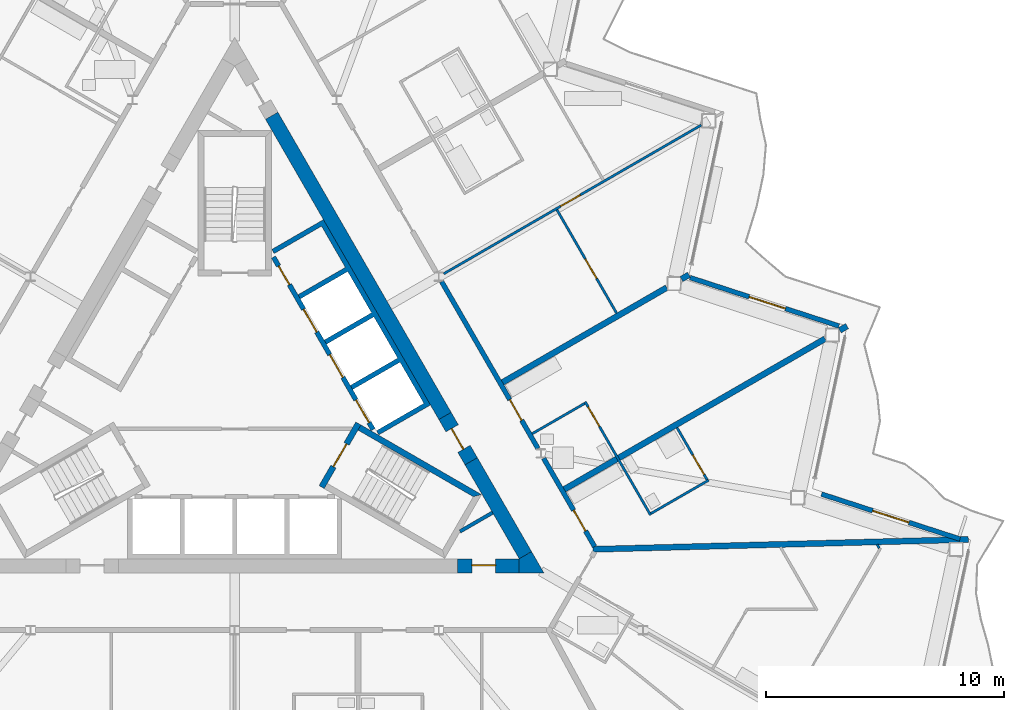
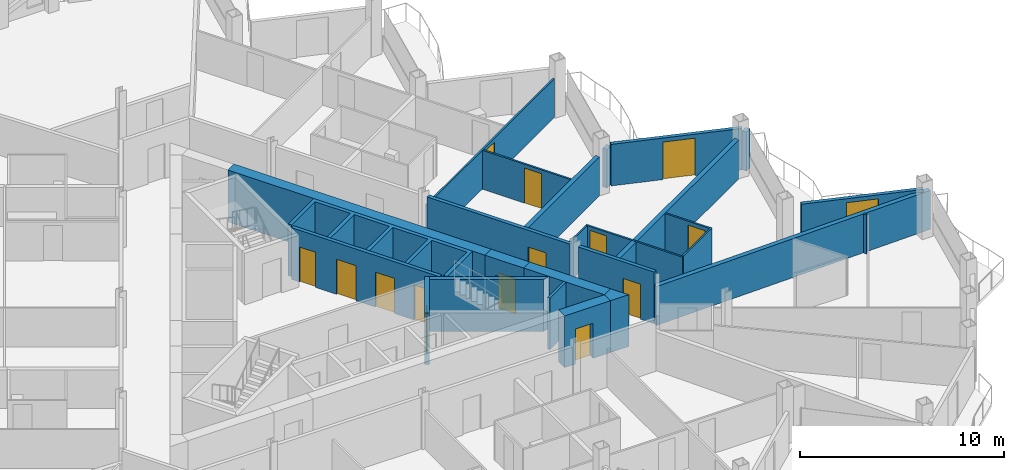
# One storey, part 17 of 28: 26 walls, 15 doors, 15 openings.
"""IFC4 building model written with IfcOpenShell, lengths in metres."""

from ifc_helpers import new_model, si_unit, direction, frame, frame_2d, origin, place, context, subcontext, project, spatial, polyline, rectangle, outline, extrude, material, layer, layer_set, type_object, element, fill, save


model = new_model("IFC4")

# Units and contexts
model_context = context("Model", 3, precision=1e-05, world=origin(), true_north=direction((0.0, 1.0)))
body_context = subcontext(model_context, "Body", "Model", "MODEL_VIEW")
ifc_project = project(units=[si_unit("LENGTHUNIT", "METRE"), si_unit("AREAUNIT", "SQUARE_METRE"), si_unit("VOLUMEUNIT", "CUBIC_METRE"), si_unit("PLANEANGLEUNIT", "RADIAN"), si_unit("MASSUNIT", "GRAM", prefix="KILO")], contexts=[model_context])

# Site, building, storey
site_placement = place(None, origin())
site = spatial("IfcSite", under=ifc_project, at=site_placement, CompositionType="ELEMENT")
building_placement = place(site_placement, origin())
building = spatial("IfcBuilding", under=site, at=building_placement, Name="Cormorant Prow Tower", CompositionType="ELEMENT")
storey_placement = place(building_placement, frame((0.0, 0.0, 301.800048828125)))
storey = spatial("IfcBuildingStorey", under=building, at=storey_placement, Name="L65", CompositionType="ELEMENT", Elevation=301.800048828125)

# Walls
ifc_material_1 = material(Name="Gypsum board partition")
ifc_layer_1 = layer(ifc_material_1, 0.14990234375)
ifc_layer_set_1 = layer_set([ifc_layer_1], Name="Gypsum board partition")
wall_type_1 = type_object("IfcWallType", Name="Core partition 150", PredefinedType="PARTITIONING", material=ifc_layer_set_1)
wall_1_placement = place(storey_placement, frame((10.841796875, -4.96728515625, 0.0), z_axis=(0.0, 0.0, 1.0), x_axis=(-0.866098216386, -0.499873863663, 0.0)))
element("IfcWall", 1, at=wall_1_placement, inside=storey, type_object=wall_type_1, Name="Service room partition", PredefinedType="PARTITIONING", context=body_context, shape_type="SweptSolid", body=[
    extrude(rectangle(XDim=1.58203125, YDim=0.14990234375, at=frame_2d((0.791015625, 0.0))), origin(), (0.0, 0.0, 1.0), 3.099853515625),
])
ifc_material_2 = material(Name="Concrete 8000 psi", Category="concrete")
ifc_layer_2 = layer(ifc_material_2, 0.60009765625)
ifc_layer_set_2 = layer_set([ifc_layer_2], Name="Concrete 8000 psi")
wall_type_2 = type_object("IfcWallType", Name="Core shear wall 600", PredefinedType="SHEAR", material=ifc_layer_set_2)
wall_2_placement = place(storey_placement, frame((8.841064453125, -0.902099609375, 0.0), z_axis=(0.0, 0.0, 1.0), x_axis=(-0.499995618375, 0.866027933502, 0.0)))
element("IfcWall", 2, at=wall_2_placement, inside=storey, type_object=wall_type_2, Name="Core wall", PredefinedType="SHEAR", context=body_context, shape_type="SweptSolid", body=[
    extrude(rectangle(XDim=14.570556640625, YDim=0.60009765625, at=frame_2d((7.28515625, 0.0))), origin(), (0.0, 0.0, 1.0), 3.099853515625),
])
wall_3_placement = place(storey_placement, frame((12.220703125, -6.755615234375, 0.0), z_axis=(0.0, 0.0, 1.0), x_axis=(-0.500020646047, 0.866013483456, 0.0)))
element("IfcWall", 3, at=wall_3_placement, inside=storey, type_object=wall_type_2, Name="Core wall", PredefinedType="SHEAR", context=body_context, shape_type="SweptSolid", body=[
    extrude(rectangle(XDim=4.559326171875, YDim=0.60009765625, at=frame_2d((2.27978515625, 0.0))), origin(), (0.0, 0.0, 1.0), 3.099853515625),
])
wall_4_placement = place(storey_placement, origin())
element("IfcWall", 4, at=wall_4_placement, inside=storey, type_object=wall_type_2, Name="Core wall corner", PredefinedType="SHEAR", context=body_context, shape_type="SweptSolid", body=[
    extrude(outline(polyline([(11.960693359375, -7.505615234375), (11.960693359375, -6.905517578125), (12.48046875, -6.605712890625), (13.0, -7.505615234375), (11.960693359375, -7.505615234375)])), origin(), (0.0, 0.0, 1.0), 3.099853515625),
])

# Wall, opening, door
wall_5_placement = place(storey_placement, frame((9.36865234375, -7.20556640625, 0.0), z_axis=(0.0, 0.0, 1.0), x_axis=(1.0, 0.0, 0.0)))
wall_5 = element("IfcWall", 5, at=wall_5_placement, inside=storey, type_object=wall_type_2, Name="Core wall door panel", PredefinedType="SHEAR", context=body_context, shape_type="SweptSolid", body=[
    extrude(rectangle(XDim=2.592041015625, YDim=0.60009765625, at=frame_2d((1.2958984375, 0.0))), origin(), (0.0, 0.0, 1.0), 3.099853515625),
])
opening_1_placement = place(wall_5_placement, frame((0.60009765625, 0.0, 0.0)))
opening_1 = element("IfcOpeningElement", 6, at=opening_1_placement, cuts=wall_5, Name="Opening L65-C15", PredefinedType="OPENING", context=body_context, shape_type="SweptSolid", body=[
    extrude(rectangle(XDim=1.0, YDim=2.10009765625, at=frame_2d((0.5, 1.050048828125))), frame((0.0, 0.31005859375, 0.0), z_axis=(0.0, -1.0, 0.0), x_axis=(1.0, 0.0, 0.0)), (0.0, 0.0, 1.0), 0.6201171875),
])
ifc_material_3 = material(Name="Painted steel", Category="steel")
door_type_1 = type_object("IfcDoorType", Name="Service door 1000x2100", OperationType="NOTDEFINED", PredefinedType="DOOR", material=ifc_material_3)
door_1_placement = place(opening_1_placement, origin())
door_1 = element("IfcDoor", 7, at=door_1_placement, inside=storey, type_object=door_type_1, Name="Core door, Telecom room", OperationType="SINGLE_SWING_RIGHT", OverallHeight=2.10009765625, OverallWidth=1.0, PredefinedType="DOOR", context=body_context, shape_type="SweptSolid", body=[
    extrude(rectangle(XDim=1.0, YDim=2.10009765625, at=frame_2d((0.5, 1.050048828125))), frame((0.0, 0.05517578125, 0.0), z_axis=(0.0, -1.0, 0.0), x_axis=(1.0, 0.0, 0.0)), (0.0, 0.0, 1.0), 0.050048828125),
])
fill(opening_1, door_1)

wall_6_placement = place(storey_placement, frame((9.94091796875, -2.80712890625, 0.0), z_axis=(0.0, 0.0, 1.0), x_axis=(-0.499994660107, 0.866028486751, 0.0)))
wall_6 = element("IfcWall", 8, at=wall_6_placement, inside=storey, type_object=wall_type_2, Name="Core wall door panel", PredefinedType="SHEAR", context=body_context, shape_type="SweptSolid", body=[
    extrude(rectangle(XDim=2.19970703125, YDim=0.60009765625, at=frame_2d((1.099853515625, 0.0))), origin(), (0.0, 0.0, 1.0), 3.099853515625),
])
opening_2_placement = place(wall_6_placement, frame((0.60009765625, 0.0, 0.0)))
opening_2 = element("IfcOpeningElement", 9, at=opening_2_placement, cuts=wall_6, Name="Opening L65-C17", PredefinedType="OPENING", context=body_context, shape_type="SweptSolid", body=[
    extrude(rectangle(XDim=1.0, YDim=2.10009765625, at=frame_2d((0.5, 1.050048828125))), frame((0.0, 0.31005859375, 0.0), z_axis=(0.0, -1.0, 0.0), x_axis=(1.0, 0.0, 0.0)), (0.0, 0.0, 1.0), 0.6201171875),
])
door_2_placement = place(opening_2_placement, origin())
door_2 = element("IfcDoor", 10, at=door_2_placement, inside=storey, type_object=door_type_1, Name="Core door, Electrical room", OperationType="SINGLE_SWING_LEFT", OverallHeight=2.10009765625, OverallWidth=1.0, PredefinedType="DOOR", context=body_context, shape_type="SweptSolid", body=[
    extrude(rectangle(XDim=1.0, YDim=2.10009765625, at=frame_2d((0.5, 1.050048828125))), frame((0.0, 0.05517578125, 0.0), z_axis=(0.0, -1.0, 0.0), x_axis=(1.0, 0.0, 0.0)), (0.0, 0.0, 1.0), 0.050048828125),
])
fill(opening_2, door_2)

ifc_material_4 = material(Name="Gypsum board corridor wall")
ifc_layer_3 = layer(ifc_material_4, 0.199951171875)
ifc_layer_set_3 = layer_set([ifc_layer_3], Name="Gypsum board corridor wall")
wall_type_3 = type_object("IfcWallType", Name="Corridor wall 200", PredefinedType="PARTITIONING", material=ifc_layer_set_3)
wall_7_placement = place(storey_placement, frame((8.698486328125, 4.7451171875, 0.0), z_axis=(0.0, 0.0, 1.0), x_axis=(0.499984266882, -0.866034487114, 0.0)))
wall_7 = element("IfcWall", 11, at=wall_7_placement, inside=storey, type_object=wall_type_3, Name="Corridor wall", PredefinedType="PARTITIONING", context=body_context, shape_type="SweptSolid", body=[
    extrude(rectangle(XDim=8.098876953125, YDim=0.199951171875, at=frame_2d((4.04931640625, 0.0))), origin(), (0.0, 0.0, 1.0), 3.099853515625),
])
opening_3_placement = place(wall_7_placement, frame((5.732177734375, 0.0, 0.0)))
opening_3 = element("IfcOpeningElement", 12, at=opening_3_placement, cuts=wall_7, Name="Opening L65-F24", PredefinedType="OPENING", context=body_context, shape_type="SweptSolid", body=[
    extrude(rectangle(XDim=1.0, YDim=2.10009765625, at=frame_2d((0.5, 1.050048828125))), frame((0.0, 0.10986328125, 0.0), z_axis=(0.0, -1.0, 0.0), x_axis=(1.0, 0.0, 0.0)), (0.0, 0.0, 1.0), 0.219970703125),
])
ifc_material_5 = material(Name="Timber door leaf", Category="wood")
door_type_2 = type_object("IfcDoorType", Name="Flat or room entrance door 1000x2100", OperationType="NOTDEFINED", PredefinedType="DOOR", material=ifc_material_5)
door_3_placement = place(opening_3_placement, origin())
door_3 = element("IfcDoor", 13, at=door_3_placement, inside=storey, type_object=door_type_2, Name="Studio living, kitchen and sleeping room door", OperationType="SINGLE_SWING_RIGHT", OverallHeight=2.10009765625, OverallWidth=1.0, PredefinedType="DOOR", context=body_context, shape_type="SweptSolid", body=[
    extrude(rectangle(XDim=1.0, YDim=2.10009765625, at=frame_2d((0.5, 1.050048828125))), frame((0.0, 0.02490234375, 0.0), z_axis=(0.0, -1.0, 0.0), x_axis=(1.0, 0.0, 0.0)), (0.0, 0.0, 1.0), 0.050048828125),
])
fill(opening_3, door_3)

wall_8_placement = place(storey_placement, frame((12.987548828125, -2.68408203125, 0.0), z_axis=(0.0, 0.0, 1.0), x_axis=(0.500003406062, -0.866023437285, 0.0)))
wall_8 = element("IfcWall", 14, at=wall_8_placement, inside=storey, type_object=wall_type_3, Name="Corridor wall", PredefinedType="PARTITIONING", context=body_context, shape_type="SweptSolid", body=[
    extrude(rectangle(XDim=4.28759765625, YDim=0.199951171875, at=frame_2d((2.143798828125, 0.0))), origin(), (0.0, 0.0, 1.0), 3.099853515625),
])
opening_4_placement = place(wall_8_placement, frame((2.521484375, 0.0, 0.0)))
opening_4 = element("IfcOpeningElement", 15, at=opening_4_placement, cuts=wall_8, Name="Opening L65-F22", PredefinedType="OPENING", context=body_context, shape_type="SweptSolid", body=[
    extrude(rectangle(XDim=1.0, YDim=2.10009765625, at=frame_2d((0.5, 1.050048828125))), frame((0.0, 0.10986328125, 0.0), z_axis=(0.0, -1.0, 0.0), x_axis=(1.0, 0.0, 0.0)), (0.0, 0.0, 1.0), 0.219970703125),
])
door_4_placement = place(opening_4_placement, origin())
door_4 = element("IfcDoor", 16, at=door_4_placement, inside=storey, type_object=door_type_2, Name="Studio living, kitchen and sleeping room door", OperationType="SINGLE_SWING_LEFT", OverallHeight=2.10009765625, OverallWidth=1.0, PredefinedType="DOOR", context=body_context, shape_type="SweptSolid", body=[
    extrude(rectangle(XDim=1.0, YDim=2.10009765625, at=frame_2d((0.5, 1.050048828125))), frame((0.0, 0.02490234375, 0.0), z_axis=(0.0, -1.0, 0.0), x_axis=(1.0, 0.0, 0.0)), (0.0, 0.0, 1.0), 0.050048828125),
])
fill(opening_4, door_4)

ifc_material_6 = material(Name="Gypsum board partition")
ifc_layer_4 = layer(ifc_material_6, 0.10009765625)
ifc_layer_set_4 = layer_set([ifc_layer_4], Name="Gypsum board partition")
wall_type_4 = type_object("IfcWallType", Name="Internal partition 100", PredefinedType="PARTITIONING", material=ifc_layer_set_4)
wall_9_placement = place(storey_placement, frame((8.7861328125, 5.07275390625, 0.0), z_axis=(0.0, 0.0, 1.0), x_axis=(0.86602139559, 0.500006942333, 0.0)))
wall_9 = element("IfcWall", 17, at=wall_9_placement, inside=storey, type_object=wall_type_4, Name="Internal partition", PredefinedType="PARTITIONING", context=body_context, shape_type="SweptSolid", body=[
    extrude(rectangle(XDim=12.504638671875, YDim=0.10009765625, at=frame_2d((6.25244140625, 0.0))), origin(), (0.0, 0.0, 1.0), 2.330078125),
])
opening_5_placement = place(wall_9_placement, frame((5.6767578125, 0.0, 0.0)))
opening_5 = element("IfcOpeningElement", 18, at=opening_5_placement, cuts=wall_9, Name="Opening L65-F29", PredefinedType="OPENING", context=body_context, shape_type="SweptSolid", body=[
    extrude(rectangle(XDim=0.949951171875, YDim=2.10009765625, at=frame_2d((0.47509765625, 1.050048828125))), frame((0.0, 0.06005859375, 0.0), z_axis=(0.0, -1.0, 0.0), x_axis=(1.0, 0.0, 0.0)), (0.0, 0.0, 1.0), 0.1201171875),
])
ifc_material_7 = material(Name="Timber door leaf", Category="wood")
door_type_3 = type_object("IfcDoorType", Name="Bathroom door 950x2100", OperationType="NOTDEFINED", PredefinedType="DOOR", material=ifc_material_7)
door_5_placement = place(opening_5_placement, origin())
door_5 = element("IfcDoor", 19, at=door_5_placement, inside=storey, type_object=door_type_3, Name="Living room door", OperationType="SINGLE_SWING_LEFT", OverallHeight=2.10009765625, OverallWidth=0.949951171875, PredefinedType="DOOR", context=body_context, shape_type="SweptSolid", body=[
    extrude(rectangle(XDim=0.949951171875, YDim=2.10009765625, at=frame_2d((0.47509765625, 1.050048828125))), frame((0.0, 0.02490234375, 0.0), z_axis=(0.0, -1.0, 0.0), x_axis=(1.0, 0.0, 0.0)), (0.0, 0.0, 1.0), 0.050048828125),
])
fill(opening_5, door_5)

wall_10_placement = place(storey_placement, frame((14.732666015625, -0.306640625, 0.0), z_axis=(0.0, 0.0, 1.0), x_axis=(0.499996545922, -0.866027397988, 0.0)))
wall_10 = element("IfcWall", 20, at=wall_10_placement, inside=storey, type_object=wall_type_4, Name="Internal partition", PredefinedType="PARTITIONING", context=body_context, shape_type="SweptSolid", body=[
    extrude(rectangle(XDim=5.5, YDim=0.10009765625, at=frame_2d((2.75, 0.0))), origin(), (0.0, 0.0, 1.0), 2.330078125),
])
opening_6_placement = place(wall_10_placement, frame((0.25, 0.0, 0.0)))
opening_6 = element("IfcOpeningElement", 21, at=opening_6_placement, cuts=wall_10, Name="Opening L65-F25", PredefinedType="OPENING", context=body_context, shape_type="SweptSolid", body=[
    extrude(rectangle(XDim=0.949951171875, YDim=2.10009765625, at=frame_2d((0.47509765625, 1.050048828125))), frame((0.0, 0.06005859375, 0.0), z_axis=(0.0, -1.0, 0.0), x_axis=(1.0, 0.0, 0.0)), (0.0, 0.0, 1.0), 0.1201171875),
])
door_6_placement = place(opening_6_placement, origin())
door_6 = element("IfcDoor", 22, at=door_6_placement, inside=storey, type_object=door_type_3, Name="Studio living, kitchen and sleeping room door", OperationType="SINGLE_SWING_LEFT", OverallHeight=2.10009765625, OverallWidth=0.949951171875, PredefinedType="DOOR", context=body_context, shape_type="SweptSolid", body=[
    extrude(rectangle(XDim=0.949951171875, YDim=2.10009765625, at=frame_2d((0.47509765625, 1.050048828125))), frame((0.0, 0.02490234375, 0.0), z_axis=(0.0, -1.0, 0.0), x_axis=(1.0, 0.0, 0.0)), (0.0, 0.0, 1.0), 0.050048828125),
])
fill(opening_6, door_6)

wall_11_placement = place(storey_placement, frame((13.5458984375, 7.762939453125, 0.0), z_axis=(0.0, 0.0, 1.0), x_axis=(0.500028620461, -0.866008879123, 0.0)))
wall_11 = element("IfcWall", 23, at=wall_11_placement, inside=storey, type_object=wall_type_4, Name="Internal partition", PredefinedType="PARTITIONING", context=body_context, shape_type="SweptSolid", body=[
    extrude(rectangle(XDim=5.015869140625, YDim=0.10009765625, at=frame_2d((2.5078125, 0.0))), origin(), (0.0, 0.0, 1.0), 2.330078125),
])
opening_7_placement = place(wall_11_placement, frame((2.3896484375, 0.0, 0.0)))
opening_7 = element("IfcOpeningElement", 24, at=opening_7_placement, cuts=wall_11, Name="Opening L65-F30", PredefinedType="OPENING", context=body_context, shape_type="SweptSolid", body=[
    extrude(rectangle(XDim=0.949951171875, YDim=2.10009765625, at=frame_2d((0.47509765625, 1.050048828125))), frame((0.0, 0.06005859375, 0.0), z_axis=(0.0, -1.0, 0.0), x_axis=(1.0, 0.0, 0.0)), (0.0, 0.0, 1.0), 0.1201171875),
])
door_7_placement = place(opening_7_placement, origin())
door_7 = element("IfcDoor", 25, at=door_7_placement, inside=storey, type_object=door_type_3, Name="Bedroom door", OperationType="SINGLE_SWING_RIGHT", OverallHeight=2.10009765625, OverallWidth=0.949951171875, PredefinedType="DOOR", context=body_context, shape_type="SweptSolid", body=[
    extrude(rectangle(XDim=0.949951171875, YDim=2.10009765625, at=frame_2d((0.47509765625, 1.050048828125))), frame((0.0, 0.02490234375, 0.0), z_axis=(0.0, -1.0, 0.0), x_axis=(1.0, 0.0, 0.0)), (0.0, 0.0, 1.0), 0.050048828125),
])
fill(opening_7, door_7)

# Wall
wall_12_placement = place(storey_placement, frame((17.5009765625, -5.00146484375, 0.0), z_axis=(0.0, 0.0, 1.0), x_axis=(0.866034573852, 0.49998411664, 0.0)))
element("IfcWall", 26, at=wall_12_placement, inside=storey, type_object=wall_type_4, Name="Internal partition", PredefinedType="PARTITIONING", context=body_context, shape_type="SweptSolid", body=[
    extrude(rectangle(XDim=2.7998046875, YDim=0.10009765625, at=frame_2d((1.39990234375, 0.0))), origin(), (0.0, 0.0, 1.0), 2.330078125),
])

# Wall, opening, door
wall_13_placement = place(storey_placement, frame((18.594970703125, -1.396484375, 0.0), z_axis=(0.0, 0.0, 1.0), x_axis=(0.499976333282, -0.866039067339, 0.0)))
wall_13 = element("IfcWall", 27, at=wall_13_placement, inside=storey, type_object=wall_type_4, Name="Internal partition", PredefinedType="PARTITIONING", context=body_context, shape_type="SweptSolid", body=[
    extrude(rectangle(XDim=2.52490234375, YDim=0.10009765625, at=frame_2d((1.262451171875, 0.0))), origin(), (0.0, 0.0, 1.0), 2.330078125),
])
opening_8_placement = place(wall_13_placement, frame((1.324951171875, 0.0, 0.0)))
opening_8 = element("IfcOpeningElement", 28, at=opening_8_placement, cuts=wall_13, Name="Opening L65-F23", PredefinedType="OPENING", context=body_context, shape_type="SweptSolid", body=[
    extrude(rectangle(XDim=0.949951171875, YDim=2.10009765625, at=frame_2d((0.47509765625, 1.050048828125))), frame((0.0, 0.06005859375, 0.0), z_axis=(0.0, -1.0, 0.0), x_axis=(1.0, 0.0, 0.0)), (0.0, 0.0, 1.0), 0.1201171875),
])
door_8_placement = place(opening_8_placement, origin())
door_8 = element("IfcDoor", 29, at=door_8_placement, inside=storey, type_object=door_type_3, Name="Studio living, kitchen and sleeping room door", OperationType="SINGLE_SWING_RIGHT", OverallHeight=2.10009765625, OverallWidth=0.949951171875, PredefinedType="DOOR", context=body_context, shape_type="SweptSolid", body=[
    extrude(rectangle(XDim=0.949951171875, YDim=2.10009765625, at=frame_2d((0.47509765625, 1.050048828125))), frame((0.0, 0.02490234375, 0.0), z_axis=(0.0, -1.0, 0.0), x_axis=(1.0, 0.0, 0.0)), (0.0, 0.0, 1.0), 0.050048828125),
])
fill(opening_8, door_8)

# Walls
wall_14_placement = place(storey_placement, frame((12.506103515625, -1.64990234375, 0.0), z_axis=(0.0, 0.0, 1.0), x_axis=(0.866030925526, 0.499990435942, 0.0)))
element("IfcWall", 30, at=wall_14_placement, inside=storey, type_object=wall_type_4, Name="Internal partition", PredefinedType="PARTITIONING", context=body_context, shape_type="SweptSolid", body=[
    extrude(rectangle(XDim=2.5498046875, YDim=0.10009765625, at=frame_2d((1.27490234375, 0.0))), origin(), (0.0, 0.0, 1.0), 2.330078125),
])
wall_15_placement = place(storey_placement, frame((27.006103515625, -6.306396484375, 0.0), z_axis=(0.0, 0.0, 1.0), x_axis=(0.500074377092, -0.865982457891, 0.0)))
element("IfcWall", 31, at=wall_15_placement, inside=storey, type_object=wall_type_4, Name="Internal partition", PredefinedType="PARTITIONING", context=body_context, shape_type="SweptSolid", body=[
    extrude(rectangle(XDim=0.18017578125, YDim=0.10009765625, at=frame_2d((0.090087890625, 0.0))), origin(), (0.0, 0.0, 1.0), 2.330078125),
])

# Wall, openings, doors
ifc_material_8 = material(Name="Concrete 5000 psi", Category="concrete")
ifc_layer_5 = layer(ifc_material_8, 0.199951171875)
ifc_layer_set_5 = layer_set([ifc_layer_5], Name="Concrete 5000 psi")
wall_type_5 = type_object("IfcWallType", Name="Lift lobby wall 200", PredefinedType="SOLIDWALL", material=ifc_layer_set_5)
wall_16_placement = place(storey_placement, frame((5.817138671875, -1.4755859375, 0.0), z_axis=(0.0, 0.0, 1.0), x_axis=(-0.500002616675, 0.866023893041, 0.0)))
wall_16 = element("IfcWall", 32, at=wall_16_placement, inside=storey, type_object=wall_type_5, Name="Lift lobby wall, ENE block", PredefinedType="SOLIDWALL", context=body_context, shape_type="SweptSolid", body=[
    extrude(rectangle(XDim=8.373046875, YDim=0.199951171875, at=frame_2d((4.1865234375, 0.0))), origin(), (0.0, 0.0, 1.0), 3.099853515625),
])
opening_9_placement = place(wall_16_placement, frame((0.336669921875, 0.0, 0.0)))
opening_9 = element("IfcOpeningElement", 33, at=opening_9_placement, cuts=wall_16, Name="Opening L65-C05", PredefinedType="OPENING", context=body_context, shape_type="SweptSolid", body=[
    extrude(rectangle(XDim=1.10009765625, YDim=2.10009765625, at=frame_2d((0.550048828125, 1.050048828125))), frame((0.0, 0.10986328125, 0.0), z_axis=(0.0, -1.0, 0.0), x_axis=(1.0, 0.0, 0.0)), (0.0, 0.0, 1.0), 0.219970703125),
])
opening_10_placement = place(wall_16_placement, frame((2.53662109375, 0.0, 0.0)))
opening_10 = element("IfcOpeningElement", 34, at=opening_10_placement, cuts=wall_16, Name="Opening L65-C06", PredefinedType="OPENING", context=body_context, shape_type="SweptSolid", body=[
    extrude(rectangle(XDim=1.10009765625, YDim=2.10009765625, at=frame_2d((0.550048828125, 1.050048828125))), frame((0.0, 0.10986328125, 0.0), z_axis=(0.0, -1.0, 0.0), x_axis=(1.0, 0.0, 0.0)), (0.0, 0.0, 1.0), 0.219970703125),
])
opening_11_placement = place(wall_16_placement, frame((4.736572265625, 0.0, 0.0)))
opening_11 = element("IfcOpeningElement", 35, at=opening_11_placement, cuts=wall_16, Name="Opening L65-C07", PredefinedType="OPENING", context=body_context, shape_type="SweptSolid", body=[
    extrude(rectangle(XDim=1.10009765625, YDim=2.10009765625, at=frame_2d((0.550048828125, 1.050048828125))), frame((0.0, 0.10986328125, 0.0), z_axis=(0.0, -1.0, 0.0), x_axis=(1.0, 0.0, 0.0)), (0.0, 0.0, 1.0), 0.219970703125),
])
opening_12_placement = place(wall_16_placement, frame((7.03662109375, 0.0, 0.0)))
opening_12 = element("IfcOpeningElement", 36, at=opening_12_placement, cuts=wall_16, Name="Opening L65-C08", PredefinedType="OPENING", context=body_context, shape_type="SweptSolid", body=[
    extrude(rectangle(XDim=0.89990234375, YDim=2.10009765625, at=frame_2d((0.449951171875, 1.050048828125))), frame((0.0, 0.10986328125, 0.0), z_axis=(0.0, -1.0, 0.0), x_axis=(1.0, 0.0, 0.0)), (0.0, 0.0, 1.0), 0.219970703125),
])
ifc_material_9 = material(Name="Painted steel", Category="steel")
door_type_4 = type_object("IfcDoorType", Name="Lift landing door 1100x2100", OperationType="SLIDING_TO_LEFT", PredefinedType="DOOR", material=ifc_material_9)
door_9_placement = place(opening_9_placement, origin())
door_9 = element("IfcDoor", 37, at=door_9_placement, inside=storey, type_object=door_type_4, Name="Landing door HR2", OperationType="SLIDING_TO_LEFT", OverallHeight=2.10009765625, OverallWidth=1.10009765625, PredefinedType="DOOR", context=body_context, shape_type="SweptSolid", body=[
    extrude(rectangle(XDim=1.10009765625, YDim=2.10009765625, at=frame_2d((0.550048828125, 1.050048828125))), frame((0.0, 0.02490234375, 0.0), z_axis=(0.0, -1.0, 0.0), x_axis=(1.0, 0.0, 0.0)), (0.0, 0.0, 1.0), 0.050048828125),
])
fill(opening_9, door_9)
door_10_placement = place(opening_10_placement, origin())
door_10 = element("IfcDoor", 38, at=door_10_placement, inside=storey, type_object=door_type_4, Name="Landing door HR3", OperationType="SLIDING_TO_LEFT", OverallHeight=2.10009765625, OverallWidth=1.10009765625, PredefinedType="DOOR", context=body_context, shape_type="SweptSolid", body=[
    extrude(rectangle(XDim=1.10009765625, YDim=2.10009765625, at=frame_2d((0.550048828125, 1.050048828125))), frame((0.0, 0.02490234375, 0.0), z_axis=(0.0, -1.0, 0.0), x_axis=(1.0, 0.0, 0.0)), (0.0, 0.0, 1.0), 0.050048828125),
])
fill(opening_10, door_10)
door_11_placement = place(opening_11_placement, origin())
door_11 = element("IfcDoor", 39, at=door_11_placement, inside=storey, type_object=door_type_4, Name="Landing door HR4", OperationType="SLIDING_TO_LEFT", OverallHeight=2.10009765625, OverallWidth=1.10009765625, PredefinedType="DOOR", context=body_context, shape_type="SweptSolid", body=[
    extrude(rectangle(XDim=1.10009765625, YDim=2.10009765625, at=frame_2d((0.550048828125, 1.050048828125))), frame((0.0, 0.02490234375, 0.0), z_axis=(0.0, -1.0, 0.0), x_axis=(1.0, 0.0, 0.0)), (0.0, 0.0, 1.0), 0.050048828125),
])
fill(opening_11, door_11)
ifc_material_10 = material(Name="Painted steel", Category="steel")
door_type_5 = type_object("IfcDoorType", Name="Service door 900x2100", OperationType="NOTDEFINED", PredefinedType="DOOR", material=ifc_material_10)
door_12_placement = place(opening_12_placement, origin())
door_12 = element("IfcDoor", 40, at=door_12_placement, inside=storey, type_object=door_type_5, Name="Service door, Telecom room", OperationType="SINGLE_SWING_RIGHT", OverallHeight=2.10009765625, OverallWidth=0.89990234375, PredefinedType="DOOR", context=body_context, shape_type="SweptSolid", body=[
    extrude(rectangle(XDim=0.89990234375, YDim=2.10009765625, at=frame_2d((0.449951171875, 1.050048828125))), frame((0.0, 0.02490234375, 0.0), z_axis=(0.0, -1.0, 0.0), x_axis=(1.0, 0.0, 0.0)), (0.0, 0.0, 1.0), 0.050048828125),
])
fill(opening_12, door_12)

# Walls
ifc_material_11 = material(Name="Concrete 8000 psi", Category="concrete")
ifc_layer_6 = layer(ifc_material_11, 0.199951171875)
ifc_layer_set_6 = layer_set([ifc_layer_6], Name="Concrete 8000 psi")
wall_type_6 = type_object("IfcWallType", Name="Lift shaft wall 200", PredefinedType="SHEAR", material=ifc_layer_set_6)
wall_17_placement = place(storey_placement, origin())
element("IfcWall", 41, at=wall_17_placement, inside=storey, type_object=wall_type_6, Name="Lift shaft walls, ENE block", PredefinedType="SHEAR", context=body_context, shape_type="SweptSolid", body=[
    extrude(outline(polyline([(1.560546875, 6.09716796875), (3.730712890625, 7.35009765625), (8.230712890625, -0.444091796875), (6.060546875, -1.697021484375), (5.96044921875, -1.52392578125), (7.952392578125, -0.373779296875), (6.952392578125, 1.358154296875), (4.96044921875, 0.2080078125), (4.860595703125, 0.38134765625), (6.852294921875, 1.53125), (5.852294921875, 3.263427734375), (3.860595703125, 2.11328125), (3.760498046875, 2.28662109375), (5.75244140625, 3.4365234375), (4.75244140625, 5.168701171875), (2.760498046875, 4.018798828125), (2.660400390625, 4.19189453125), (4.65234375, 5.341796875), (3.65234375, 7.073974609375), (1.660400390625, 5.923828125), (1.560546875, 6.09716796875)])), origin(), (0.0, 0.0, 1.0), 3.099853515625),
])
ifc_material_12 = material(Name="Concrete 8000 psi", Category="concrete")
ifc_layer_7 = layer(ifc_material_12, 0.25)
ifc_layer_set_7 = layer_set([ifc_layer_7], Name="Concrete 8000 psi")
wall_type_7 = type_object("IfcWallType", Name="Stair wall 250", PredefinedType="SHEAR", material=ifc_layer_set_7)
wall_18_placement = place(storey_placement, origin())
element("IfcWall", 42, at=wall_18_placement, inside=storey, type_object=wall_type_7, Name="Stair ST2 enclosure wall (flank)", PredefinedType="SHEAR", context=body_context, shape_type="SweptSolid", body=[
    extrude(outline(polyline([(10.031982421875, -4.2978515625), (10.37353515625, -4.206298828125), (5.30712890625, -1.28125), (5.18212890625, -1.497802734375), (10.031982421875, -4.2978515625)])), origin(), (0.0, 0.0, 1.0), 3.099853515625),
])

# Wall, opening, door
wall_19_placement = place(storey_placement, frame((3.655029296875, -3.89306640625, 0.0), z_axis=(0.0, 0.0, 1.0), x_axis=(0.499982516597, 0.866035497597, 0.0)))
wall_19 = element("IfcWall", 43, at=wall_19_placement, inside=storey, type_object=wall_type_7, Name="Stair ST2 door wall", PredefinedType="SHEAR", context=body_context, shape_type="SweptSolid", body=[
    extrude(rectangle(XDim=3.087890625, YDim=0.25, at=frame_2d((1.5439453125, 0.0))), origin(), (0.0, 0.0, 1.0), 3.099853515625),
])
opening_13_placement = place(wall_19_placement, frame((0.993896484375, 0.0, 0.0)))
opening_13 = element("IfcOpeningElement", 44, at=opening_13_placement, cuts=wall_19, Name="Opening L65-C13", PredefinedType="OPENING", context=body_context, shape_type="SweptSolid", body=[
    extrude(rectangle(XDim=1.10009765625, YDim=2.10009765625, at=frame_2d((0.550048828125, 1.050048828125))), frame((0.0, 0.135009765625, 0.0), z_axis=(0.0, -1.0, 0.0), x_axis=(1.0, 0.0, 0.0)), (0.0, 0.0, 1.0), 0.27001953125),
])
ifc_material_13 = material(Name="Painted steel", Category="steel")
door_type_6 = type_object("IfcDoorType", Name="Stair door 1100x2100", OperationType="NOTDEFINED", PredefinedType="DOOR", material=ifc_material_13)
door_13_placement = place(opening_13_placement, origin())
door_13 = element("IfcDoor", 45, at=door_13_placement, inside=storey, type_object=door_type_6, Name="Stair ST2 door", OperationType="SINGLE_SWING_RIGHT", OverallHeight=2.10009765625, OverallWidth=1.10009765625, PredefinedType="DOOR", context=body_context, shape_type="SweptSolid", body=[
    extrude(rectangle(XDim=1.10009765625, YDim=2.10009765625, at=frame_2d((0.550048828125, 1.050048828125))), frame((0.0, 0.02490234375, 0.0), z_axis=(0.0, -1.0, 0.0), x_axis=(1.0, 0.0, 0.0)), (0.0, 0.0, 1.0), 0.050048828125),
])
fill(opening_13, door_13)

# Walls
ifc_material_14 = material(Name="Acoustic gypsum party wall")
ifc_layer_8 = layer(ifc_material_14, 0.25)
ifc_layer_set_8 = layer_set([ifc_layer_8], Name="Acoustic gypsum party wall")
wall_type_8 = type_object("IfcWallType", Name="Suite party wall 250", PredefinedType="PARTITIONING", material=ifc_layer_set_8)
wall_20_placement = place(storey_placement, frame((15.069091796875, -6.5087890625, 0.0), z_axis=(0.0, 0.0, 1.0), x_axis=(0.999657828615, 0.026157708023, 0.0)))
element("IfcWall", 46, at=wall_20_placement, inside=storey, type_object=wall_type_8, Name="Suite party wall", PredefinedType="PARTITIONING", context=body_context, shape_type="SweptSolid", body=[
    extrude(rectangle(XDim=15.7734375, YDim=0.25, at=frame_2d((7.88671875, 0.0))), origin(), (0.0, 0.0, 1.0), 2.330078125),
])
wall_21_placement = place(storey_placement, frame((13.85595703125, -3.98828125, 0.0), z_axis=(0.0, 0.0, 1.0), x_axis=(0.866021406514, 0.500006923412, 0.0)))
element("IfcWall", 47, at=wall_21_placement, inside=storey, type_object=wall_type_8, Name="Suite party wall", PredefinedType="PARTITIONING", context=body_context, shape_type="SweptSolid", body=[
    extrude(rectangle(XDim=12.654052734375, YDim=0.25, at=frame_2d((6.3271484375, 0.0))), origin(), (0.0, 0.0, 1.0), 2.330078125),
])
wall_22_placement = place(storey_placement, frame((11.260498046875, 0.50732421875, 0.0), z_axis=(0.0, 0.0, 1.0), x_axis=(0.86602842894, 0.499994760241, 0.0)))
element("IfcWall", 48, at=wall_22_placement, inside=storey, type_object=wall_type_8, Name="Suite party wall", PredefinedType="PARTITIONING", context=body_context, shape_type="SweptSolid", body=[
    extrude(rectangle(XDim=7.9677734375, YDim=0.25, at=frame_2d((3.98388671875, 0.0))), origin(), (0.0, 0.0, 1.0), 2.330078125),
])
wall_23_placement = place(storey_placement, frame((18.781005859375, 4.849365234375, 0.0), z_axis=(0.0, 0.0, 1.0), x_axis=(0.86609656662, 0.499876722092, 0.0)))
element("IfcWall", 49, at=wall_23_placement, inside=storey, type_object=wall_type_8, Name="Suite party wall", PredefinedType="PARTITIONING", context=body_context, shape_type="SweptSolid", body=[
    extrude(rectangle(XDim=0.365234375, YDim=0.25, at=frame_2d((0.1826171875, 0.0))), origin(), (0.0, 0.0, 1.0), 2.330078125),
])
wall_24_placement = place(storey_placement, frame((25.434814453125, 2.69677734375, 0.0), z_axis=(0.0, 0.0, 1.0), x_axis=(0.865851769275, 0.500300623268, 0.0)))
element("IfcWall", 50, at=wall_24_placement, inside=storey, type_object=wall_type_8, Name="Suite party wall", PredefinedType="PARTITIONING", context=body_context, shape_type="SweptSolid", body=[
    extrude(rectangle(XDim=0.353271484375, YDim=0.25, at=frame_2d((0.1767578125, 0.0))), origin(), (0.0, 0.0, 1.0), 2.330078125),
])

# Wall, opening, door
ifc_material_15 = material(Name="Terracotta", Category="masonry")
ifc_layer_9 = layer(ifc_material_15, 0.199951171875)
ifc_layer_set_9 = layer_set([ifc_layer_9], Name="Terracotta")
wall_type_9 = type_object("IfcWallType", Name="Terracotta jamb wall 200", PredefinedType="SOLIDWALL", material=ifc_layer_set_9)
wall_25_placement = place(storey_placement, frame((30.488037109375, -6.078369140625, 0.0), z_axis=(0.0, 0.0, 1.0), x_axis=(-0.951062515241, 0.308998530908, 0.0)))
wall_25 = element("IfcWall", 51, at=wall_25_placement, inside=storey, type_object=wall_type_9, Name="Terracotta jamb wall ENE01", PredefinedType="SOLIDWALL", context=body_context, shape_type="SweptSolid", body=[
    extrude(rectangle(XDim=6.116943359375, YDim=0.199951171875, at=frame_2d((3.05859375, 0.0))), origin(), (0.0, 0.0, 1.0), 2.48779296875),
])
opening_14_placement = place(wall_25_placement, frame((2.258544921875, 0.0, 0.0)))
opening_14 = element("IfcOpeningElement", 52, at=opening_14_placement, cuts=wall_25, Name="Opening ED65.06", PredefinedType="OPENING", context=body_context, shape_type="SweptSolid", body=[
    extrude(rectangle(XDim=1.60009765625, YDim=2.25, at=frame_2d((0.800048828125, 1.125))), frame((0.0, 0.10986328125, 0.0), z_axis=(0.0, -1.0, 0.0), x_axis=(1.0, 0.0, 0.0)), (0.0, 0.0, 1.0), 0.219970703125),
])
ifc_material_16 = material(Name="Aluminium 6063-T6", Category="aluminium")
door_type_7 = type_object("IfcDoorType", Name="Balcony door 1600x2250", OperationType="DOUBLE_DOOR_SINGLE_SWING", PredefinedType="DOOR", material=ifc_material_16)
door_14_placement = place(opening_14_placement, origin())
door_14 = element("IfcDoor", 53, at=door_14_placement, inside=storey, type_object=door_type_7, Name="Balcony door ENE01 ED65.06", OperationType="DOUBLE_DOOR_SINGLE_SWING", OverallHeight=2.25, OverallWidth=1.60009765625, PredefinedType="DOOR", context=body_context, shape_type="SweptSolid", body=[
    extrude(rectangle(XDim=1.60009765625, YDim=2.25, at=frame_2d((0.800048828125, 1.125))), frame((0.0, 0.02490234375, 0.0), z_axis=(0.0, -1.0, 0.0), x_axis=(1.0, 0.0, 0.0)), (0.0, 0.0, 1.0), 0.050048828125),
])
fill(opening_14, door_14)

wall_26_placement = place(storey_placement, frame((25.397705078125, 2.8798828125, 0.0), z_axis=(0.0, 0.0, 1.0), x_axis=(-0.95105697409, 0.309015585424, 0.0)))
wall_26 = element("IfcWall", 54, at=wall_26_placement, inside=storey, type_object=wall_type_9, Name="Terracotta jamb wall ENE03", PredefinedType="SOLIDWALL", context=body_context, shape_type="SweptSolid", body=[
    extrude(rectangle(XDim=6.578857421875, YDim=0.199951171875, at=frame_2d((3.28955078125, 0.0))), origin(), (0.0, 0.0, 1.0), 2.48779296875),
])
opening_15_placement = place(wall_26_placement, frame((2.3642578125, 0.0, 0.0)))
opening_15 = element("IfcOpeningElement", 55, at=opening_15_placement, cuts=wall_26, Name="Opening ED65.07", PredefinedType="OPENING", context=body_context, shape_type="SweptSolid", body=[
    extrude(rectangle(XDim=1.60009765625, YDim=2.25, at=frame_2d((0.800048828125, 1.125))), frame((0.0, 0.10986328125, 0.0), z_axis=(0.0, -1.0, 0.0), x_axis=(1.0, 0.0, 0.0)), (0.0, 0.0, 1.0), 0.219970703125),
])
door_15_placement = place(opening_15_placement, origin())
door_15 = element("IfcDoor", 56, at=door_15_placement, inside=storey, type_object=door_type_7, Name="Balcony door ENE03 ED65.07", OperationType="DOUBLE_DOOR_SINGLE_SWING", OverallHeight=2.25, OverallWidth=1.60009765625, PredefinedType="DOOR", context=body_context, shape_type="SweptSolid", body=[
    extrude(rectangle(XDim=1.60009765625, YDim=2.25, at=frame_2d((0.800048828125, 1.125))), frame((0.0, 0.02490234375, 0.0), z_axis=(0.0, -1.0, 0.0), x_axis=(1.0, 0.0, 0.0)), (0.0, 0.0, 1.0), 0.050048828125),
])
fill(opening_15, door_15)

save(model, "model.ifc")
